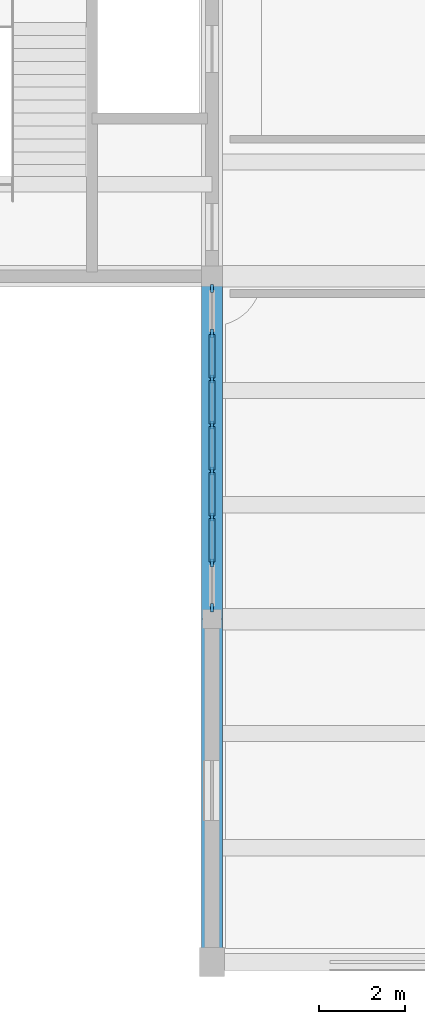
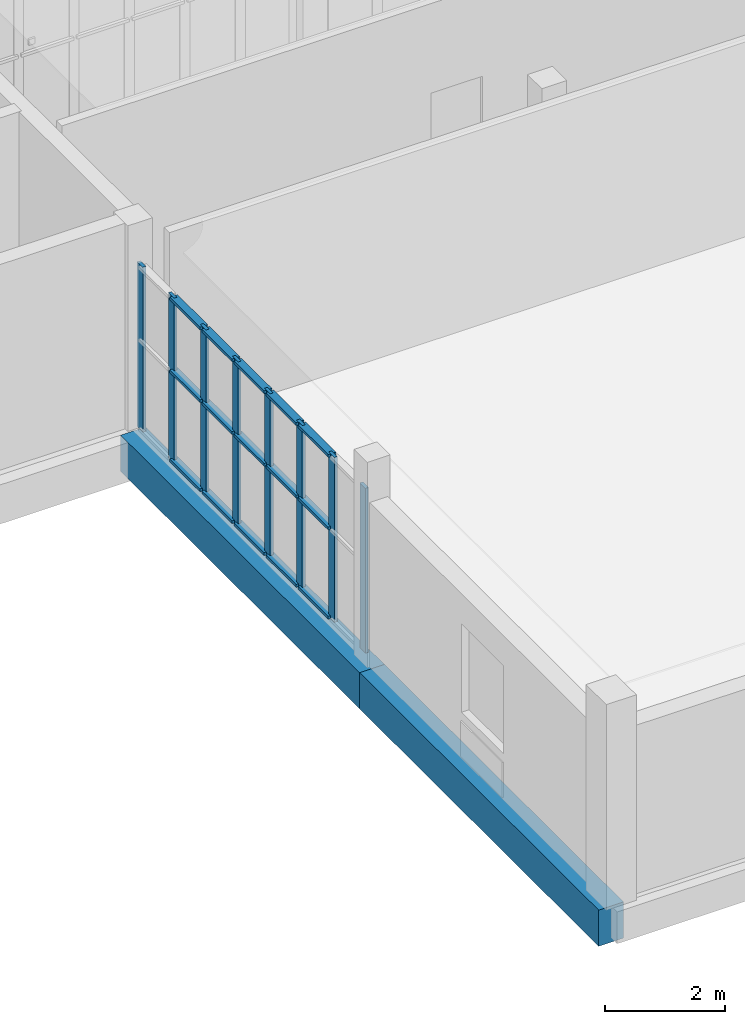
# One storey, part 5 of 70: 23 members, 2 beams, 1 element without a shape of its own.
"""IFC4 building model written with IfcOpenShell, lengths in metres."""

import ifcopenshell
import ifcopenshell.guid

model = None  # the IFC model being written
_history = None  # IfcOwnerHistory: only IFC2X3 demands one
_inside = {}  # id of a spatial element -> (the spatial element, [elements in it])
_under = {}  # id of a project, library or spatial element -> (it, [spatial elements below it])
_declared = {}  # id of a project -> (the project, [libraries it declares])
_typed = {}  # id of a type object -> (the type object, [elements of that type])
_made_of = {}  # id of a material, layer set ... -> (it, [elements and type objects made of it])


def new_model(schema):
    """Start an empty IFC model of exactly this schema.

    Asked for "IFC4X3", IfcOpenShell would pick the latest addendum, in which some entities
    have other attributes; the version numbers below select the first issue.
    IFC2X3 requires an IfcOwnerHistory on every rooted entity: one is made here for all.
    """
    global model, _history
    if schema == "IFC4X3":
        model = ifcopenshell.file(schema_version=(4, 3, 0, 0))
    else:
        model = ifcopenshell.file(schema=schema)
    _inside.clear()
    _under.clear()
    _declared.clear()
    _typed.clear()
    _made_of.clear()
    _history = None
    if model.schema == "IFC2X3":
        org = make("IfcOrganization", Name="unknown")
        user = make(
            "IfcPersonAndOrganization",
            ThePerson=make("IfcPerson", FamilyName="unknown"),
            TheOrganization=org,
        )
        app = make(
            "IfcApplication",
            ApplicationDeveloper=org,
            Version="unknown",
            ApplicationFullName="unknown",
            ApplicationIdentifier="unknown",
        )
        _history = make(
            "IfcOwnerHistory",
            OwningUser=user,
            OwningApplication=app,
            ChangeAction="ADDED",
            CreationDate=0,
        )
    return model


def make(cls, **values):
    """One entity of the class cls with the attributes given. An attribute that is None is left unset."""
    return model.create_entity(
        cls, **{name: value for name, value in values.items() if value is not None}
    )


def rooted(cls, **values):
    """An entity with a GlobalId (a new one), such as an element, a storey or a relation."""
    return make(cls, GlobalId=ifcopenshell.guid.new(), OwnerHistory=_history, **values)


def si_unit(unit_type, name, prefix=None):
    """IfcSIUnit, for example si_unit("LENGTHUNIT", "METRE", prefix="MILLI")."""
    return make("IfcSIUnit", UnitType=unit_type, Prefix=prefix, Name=name)


def assignment(units):
    """IfcUnitAssignment: the units of a project."""
    return None if units is None else make("IfcUnitAssignment", Units=units)


def point(xyz):
    """IfcCartesianPoint."""
    return None if xyz is None else make("IfcCartesianPoint", Coordinates=xyz)


def direction(xyz):
    """IfcDirection."""
    return None if xyz is None else make("IfcDirection", DirectionRatios=xyz)


def frame(location, z_axis=None, x_axis=None):
    """IfcAxis2Placement3D, a coordinate frame: its origin and axes. An axis left out is left unset."""
    return make(
        "IfcAxis2Placement3D",
        Location=point(location),
        Axis=direction(z_axis),
        RefDirection=direction(x_axis),
    )


def frame_2d(location, x_axis=None):
    """IfcAxis2Placement2D, a coordinate frame in the plane: its origin and x axis."""
    return make(
        "IfcAxis2Placement2D", Location=point(location), RefDirection=direction(x_axis)
    )


def origin():
    """The frame at (0, 0, 0) with its axes left unset."""
    return frame((0.0, 0.0, 0.0))


def origin_2d():
    """The frame at (0, 0) in the plane with its x axis left unset."""
    return frame_2d((0.0, 0.0))


def place(relative_to, where):
    """IfcLocalPlacement: puts the frame where relative to a parent placement (None: the world)."""
    return make(
        "IfcLocalPlacement", PlacementRelTo=relative_to, RelativePlacement=where
    )


def context(
    kind, dimensions, precision=None, world=None, true_north=None, identifier=None
):
    """IfcGeometricRepresentationContext, for example the 3D "Model" context."""
    return make(
        "IfcGeometricRepresentationContext",
        ContextIdentifier=identifier,
        ContextType=kind,
        CoordinateSpaceDimension=dimensions,
        Precision=precision,
        WorldCoordinateSystem=world,
        TrueNorth=true_north,
    )


def subcontext(parent, identifier, kind, view, scale=None):
    """IfcGeometricRepresentationSubContext, for example "Body" below "Model"."""
    return make(
        "IfcGeometricRepresentationSubContext",
        ContextIdentifier=identifier,
        ContextType=kind,
        ParentContext=parent,
        TargetScale=scale,
        TargetView=view,
    )


def project(units=None, contexts=None):
    """IfcProject with its units and contexts."""
    return rooted(
        "IfcProject",
        Name="project",
        RepresentationContexts=contexts,
        UnitsInContext=assignment(units),
    )


def spatial(cls, under=None, at=None, **own):
    """A site, building, storey or space (cls), placed at a placement, below another one or the project."""
    s = rooted(cls, ObjectPlacement=at, **own)
    if under is not None:
        _under.setdefault(under.id(), (under, []))[1].append(s)
    return s


def profile(cls, at=None, kind="AREA", **sizes):
    """A parametric profile (cls). Its sizes go by their IFC names, for example OverallWidth=200.0."""
    return make(cls, ProfileType=kind, Position=at, **sizes)


def rectangle(**sizes):
    """IfcRectangleProfileDef."""
    return profile("IfcRectangleProfileDef", **sizes)


def extrude(swept, where, along, depth):
    """IfcExtrudedAreaSolid: the profile swept, set in the frame where, extruded along a direction by depth."""
    return make(
        "IfcExtrudedAreaSolid",
        SweptArea=swept,
        Position=where,
        ExtrudedDirection=direction(along),
        Depth=depth,
    )


def shape(context_of_items, identifier, shape_type, items):
    """IfcShapeRepresentation: the items that make up one representation, for example the "Body"."""
    return make(
        "IfcShapeRepresentation",
        ContextOfItems=context_of_items,
        RepresentationIdentifier=identifier,
        RepresentationType=shape_type,
        Items=items,
    )


def material(Name=None, Category=None):
    """IfcMaterial."""
    return make("IfcMaterial", Name=Name, Category=Category)


def layer(
    of_material, thickness, ventilated=None, Name=None, Category=None, Priority=None
):
    """IfcMaterialLayer: one layer of a wall or slab, of a material (None: an air gap)."""
    return make(
        "IfcMaterialLayer",
        Material=of_material,
        LayerThickness=thickness,
        IsVentilated=ventilated,
        Name=Name,
        Category=Category,
        Priority=Priority,
    )


def layer_set(layers, Name=None):
    """IfcMaterialLayerSet."""
    return make("IfcMaterialLayerSet", MaterialLayers=layers, LayerSetName=Name)


def material_profile(
    of_material, cross_section, Name=None, Category=None, Priority=None
):
    """IfcMaterialProfile: a cross section and its material."""
    return make(
        "IfcMaterialProfile",
        Name=Name,
        Material=of_material,
        Profile=cross_section,
        Priority=Priority,
        Category=Category,
    )


def profile_set(profiles, Name=None, composite=None):
    """IfcMaterialProfileSet."""
    return make(
        "IfcMaterialProfileSet",
        Name=Name,
        MaterialProfiles=profiles,
        CompositeProfile=composite,
    )


def made_of(thing, what):
    """Note that an element or type object is made of a material, layer set ...; save() writes the relation."""
    if what is not None:
        _made_of.setdefault(what.id(), (what, []))[1].append(thing)
    return thing


def type_object(cls, material=None, **own):
    """A type object (cls), such as IfcWallType, which elements share."""
    return made_of(rooted(cls, **own), material)


def element(
    cls,
    number,
    at=None,
    inside=None,
    cuts=None,
    type_object=None,
    material=None,
    context=None,
    identifier="Body",
    shape_type=None,
    held_by="IfcProductDefinitionShape",
    body=None,
    shapes=None,
    **own,
):
    """One element of the class cls, such as IfcWall. Its Tag is "e" and its number.

    at: its placement. inside: the storey or other place that contains it. cuts: it is an
    opening in that element (IfcRelVoidsElement). A single representation is given by context,
    identifier, shape_type and body (its items); several are given by shapes. held_by: the class
    of the entity that holds the representations. save() writes the other relations.
    """
    e = rooted(cls, Tag="e%d" % number, ObjectPlacement=at, **own)
    if body is not None:
        shapes = [shape(context, identifier, shape_type, body)]
    if shapes is not None:
        e.Representation = make(held_by, Representations=shapes)
    if inside is not None:
        _inside.setdefault(inside.id(), (inside, []))[1].append(e)
    if cuts is not None:
        rooted(
            "IfcRelVoidsElement", RelatingBuildingElement=cuts, RelatedOpeningElement=e
        )
    if type_object is not None:
        _typed.setdefault(type_object.id(), (type_object, []))[1].append(e)
    return made_of(e, material)


def aggregate(whole, parts):
    """IfcRelAggregates: a whole, such as a stair, and the parts it consists of."""
    return rooted("IfcRelAggregates", RelatingObject=whole, RelatedObjects=parts)


def save(model, path):
    """Write the relations noted so far, then the file.

    IfcRelAggregates (storeys below a building ...), IfcRelContainedInSpatialStructure (elements
    in a storey), IfcRelDefinesByType, IfcRelAssociatesMaterial and IfcRelDeclares: one each for
    every whole, place, type object, material and project.
    """
    for whole, parts in _under.values():
        aggregate(whole, parts)
    for where, things in _inside.values():
        rooted(
            "IfcRelContainedInSpatialStructure",
            RelatedElements=things,
            RelatingStructure=where,
        )
    for kind, things in _typed.values():
        rooted("IfcRelDefinesByType", RelatedObjects=things, RelatingType=kind)
    for what, things in _made_of.values():
        rooted("IfcRelAssociatesMaterial", RelatedObjects=things, RelatingMaterial=what)
    for by, libraries in _declared.values():
        rooted("IfcRelDeclares", RelatingContext=by, RelatedDefinitions=libraries)
    model.write(path)


model = new_model("IFC4")

# Units and contexts
model_context = context("Model", 3, precision=1e-05, world=origin(), true_north=direction((0.0, 1.0)))
body_context = subcontext(model_context, "Body", "Model", "MODEL_VIEW")
ifc_project = project(units=[si_unit("LENGTHUNIT", "METRE"), si_unit("AREAUNIT", "SQUARE_METRE"), si_unit("VOLUMEUNIT", "CUBIC_METRE"), si_unit("PLANEANGLEUNIT", "RADIAN"), si_unit("MASSUNIT", "GRAM", prefix="KILO")], contexts=[model_context])

# Site, building, storey
site_placement = place(None, origin())
site = spatial("IfcSite", under=ifc_project, at=site_placement, CompositionType="ELEMENT")
building_placement = place(site_placement, origin())
building = spatial("IfcBuilding", under=site, at=building_placement, Name="Solvane Community Centre", CompositionType="ELEMENT")
storey_placement = place(building_placement, frame((0.0, 0.0, 9.60009765625)))
storey = spatial("IfcBuildingStorey", under=building, at=storey_placement, Name="L02", CompositionType="ELEMENT", Elevation=9.60009765625)

# Curtain wall, members
ifc_material_1 = material(Name="Anodised bronze aluminium AW-6063 T6", Category="aluminium")
ifc_layer = layer(ifc_material_1, 0.18994140625)
ifc_layer_set = layer_set([ifc_layer], Name="Anodised bronze aluminium AW-6063 T6")
curtain_wall_type = type_object("IfcCurtainWallType", Name="Boulevard Bronze Vision Curtain Wall [75x34dm]", PredefinedType="NOTDEFINED", material=ifc_layer_set)
curtain_wall_placement = place(storey_placement, origin())
curtain_wall = element("IfcCurtainWall", 1, at=curtain_wall_placement, inside=storey, type_object=curtain_wall_type, Name="Curtain Wall CW-L02-680_142-191", PredefinedType="NOTDEFINED")
ifc_material_profile_1 = material_profile(ifc_material_1, rectangle(XDim=0.06005859375, YDim=0.18994140625, at=origin_2d()), Name="CW-M 60x190")
ifc_profile_set_1 = profile_set([ifc_material_profile_1], Name="Anodised bronze aluminium AW-6063 T6")
member_type_1 = type_object("IfcMemberType", Name="Boulevard Mullion 60x190", PredefinedType="MULLION", material=ifc_profile_set_1)
member_1_placement = place(storey_placement, frame((68.0, 14.264892578125, 0.0), z_axis=(0.0, 0.0, 1.0), x_axis=(-1.0, 0.0, 0.0)))
member_1 = element("IfcMember", 2, at=member_1_placement, type_object=member_type_1, Name="CW02-75x34 mullion 1", PredefinedType="MULLION", context=body_context, shape_type="SweptSolid", body=[
    extrude(rectangle(XDim=0.06005859375, YDim=0.18994140625, at=origin_2d()), origin(), (0.0, 0.0, 1.0), 3.364990234375),
])
member_2_placement = place(storey_placement, frame((68.0, 15.307861328125, 0.0), z_axis=(0.0, 0.0, 1.0), x_axis=(-1.0, 0.0, 0.0)))
member_2 = element("IfcMember", 3, at=member_2_placement, type_object=member_type_1, Name="CW02-75x34 mullion 2", PredefinedType="MULLION", context=body_context, shape_type="SweptSolid", body=[
    extrude(rectangle(XDim=0.06005859375, YDim=0.18994140625, at=origin_2d()), origin(), (0.0, 0.0, 1.0), 3.364990234375),
])
member_3_placement = place(storey_placement, frame((68.0, 16.380615234375, 0.0), z_axis=(0.0, 0.0, 1.0), x_axis=(-1.0, 0.0, 0.0)))
member_3 = element("IfcMember", 4, at=member_3_placement, type_object=member_type_1, Name="CW02-75x34 mullion 3", PredefinedType="MULLION", context=body_context, shape_type="SweptSolid", body=[
    extrude(rectangle(XDim=0.06005859375, YDim=0.18994140625, at=origin_2d()), origin(), (0.0, 0.0, 1.0), 3.364990234375),
])
member_4_placement = place(storey_placement, frame((68.0, 17.45361328125, 0.0), z_axis=(0.0, 0.0, 1.0), x_axis=(-1.0, 0.0, 0.0)))
member_4 = element("IfcMember", 5, at=member_4_placement, type_object=member_type_1, Name="CW02-75x34 mullion 4", PredefinedType="MULLION", context=body_context, shape_type="SweptSolid", body=[
    extrude(rectangle(XDim=0.06005859375, YDim=0.18994140625, at=origin_2d()), origin(), (0.0, 0.0, 1.0), 3.364990234375),
])
member_5_placement = place(storey_placement, frame((68.0, 18.5263671875, 0.0), z_axis=(0.0, 0.0, 1.0), x_axis=(-1.0, 0.0, 0.0)))
member_5 = element("IfcMember", 6, at=member_5_placement, type_object=member_type_1, Name="CW02-75x34 mullion 5", PredefinedType="MULLION", context=body_context, shape_type="SweptSolid", body=[
    extrude(rectangle(XDim=0.06005859375, YDim=0.18994140625, at=origin_2d()), origin(), (0.0, 0.0, 1.0), 3.364990234375),
])
member_6_placement = place(storey_placement, frame((68.0, 19.599365234375, 0.0), z_axis=(0.0, 0.0, 1.0), x_axis=(-1.0, 0.0, 0.0)))
member_6 = element("IfcMember", 7, at=member_6_placement, type_object=member_type_1, Name="CW02-75x34 mullion 6", PredefinedType="MULLION", context=body_context, shape_type="SweptSolid", body=[
    extrude(rectangle(XDim=0.06005859375, YDim=0.18994140625, at=origin_2d()), origin(), (0.0, 0.0, 1.0), 3.364990234375),
])
member_7_placement = place(storey_placement, frame((68.0, 20.672119140625, 0.0), z_axis=(0.0, 0.0, 1.0), x_axis=(-1.0, 0.0, 0.0)))
member_7 = element("IfcMember", 8, at=member_7_placement, type_object=member_type_1, Name="CW02-75x34 mullion 7", PredefinedType="MULLION", context=body_context, shape_type="SweptSolid", body=[
    extrude(rectangle(XDim=0.06005859375, YDim=0.18994140625, at=origin_2d()), origin(), (0.0, 0.0, 1.0), 3.364990234375),
])
member_8_placement = place(storey_placement, frame((68.0, 21.715087890625, 0.0), z_axis=(0.0, 0.0, 1.0), x_axis=(-1.0, 0.0, 0.0)))
member_8 = element("IfcMember", 9, at=member_8_placement, type_object=member_type_1, Name="CW02-75x34 mullion 8", PredefinedType="MULLION", context=body_context, shape_type="SweptSolid", body=[
    extrude(rectangle(XDim=0.06005859375, YDim=0.18994140625, at=origin_2d()), origin(), (0.0, 0.0, 1.0), 3.364990234375),
])
ifc_material_profile_2 = material_profile(ifc_material_1, rectangle(XDim=0.14990234375, YDim=0.06005859375, at=origin_2d()), Name="CW-T 60x150")
ifc_profile_set_2 = profile_set([ifc_material_profile_2], Name="Anodised bronze aluminium AW-6063 T6")
member_type_2 = type_object("IfcMemberType", Name="Boulevard Transom 60x150", PredefinedType="USERDEFINED", material=ifc_profile_set_2)
member_9_placement = place(storey_placement, frame((68.0, 15.337890625, 0.02978515625), z_axis=(0.0, 1.0, 0.0), x_axis=(-1.0, 0.0, 0.0)))
member_9 = element("IfcMember", 10, at=member_9_placement, type_object=member_type_2, Name="CW02-75x34 transom 2.1", ObjectType="TRANSOM", PredefinedType="USERDEFINED", context=body_context, shape_type="SweptSolid", body=[
    extrude(rectangle(XDim=0.14990234375, YDim=0.06005859375, at=origin_2d()), origin(), (0.0, 0.0, 1.0), 1.012939453125),
])
member_10_placement = place(storey_placement, frame((68.0, 15.337890625, 1.850830078125), z_axis=(0.0, 1.0, 0.0), x_axis=(-1.0, 0.0, 0.0)))
member_10 = element("IfcMember", 11, at=member_10_placement, type_object=member_type_2, Name="CW02-75x34 transom 2.2", ObjectType="TRANSOM", PredefinedType="USERDEFINED", context=body_context, shape_type="SweptSolid", body=[
    extrude(rectangle(XDim=0.14990234375, YDim=0.06005859375, at=origin_2d()), origin(), (0.0, 0.0, 1.0), 1.012939453125),
])
member_11_placement = place(storey_placement, frame((68.0, 15.337890625, 3.3349609375), z_axis=(0.0, 1.0, 0.0), x_axis=(-1.0, 0.0, 0.0)))
member_11 = element("IfcMember", 12, at=member_11_placement, type_object=member_type_2, Name="CW02-75x34 transom 2.3", ObjectType="TRANSOM", PredefinedType="USERDEFINED", context=body_context, shape_type="SweptSolid", body=[
    extrude(rectangle(XDim=0.14990234375, YDim=0.06005859375, at=origin_2d()), origin(), (0.0, 0.0, 1.0), 1.012939453125),
])
member_12_placement = place(storey_placement, frame((68.0, 16.41064453125, 0.02978515625), z_axis=(0.0, 1.0, 0.0), x_axis=(-1.0, 0.0, 0.0)))
member_12 = element("IfcMember", 13, at=member_12_placement, type_object=member_type_2, Name="CW02-75x34 transom 3.1", ObjectType="TRANSOM", PredefinedType="USERDEFINED", context=body_context, shape_type="SweptSolid", body=[
    extrude(rectangle(XDim=0.14990234375, YDim=0.06005859375, at=origin_2d()), origin(), (0.0, 0.0, 1.0), 1.012939453125),
])
member_13_placement = place(storey_placement, frame((68.0, 16.41064453125, 1.850830078125), z_axis=(0.0, 1.0, 0.0), x_axis=(-1.0, 0.0, 0.0)))
member_13 = element("IfcMember", 14, at=member_13_placement, type_object=member_type_2, Name="CW02-75x34 transom 3.2", ObjectType="TRANSOM", PredefinedType="USERDEFINED", context=body_context, shape_type="SweptSolid", body=[
    extrude(rectangle(XDim=0.14990234375, YDim=0.06005859375, at=origin_2d()), origin(), (0.0, 0.0, 1.0), 1.012939453125),
])
member_14_placement = place(storey_placement, frame((68.0, 16.41064453125, 3.3349609375), z_axis=(0.0, 1.0, 0.0), x_axis=(-1.0, 0.0, 0.0)))
member_14 = element("IfcMember", 15, at=member_14_placement, type_object=member_type_2, Name="CW02-75x34 transom 3.3", ObjectType="TRANSOM", PredefinedType="USERDEFINED", context=body_context, shape_type="SweptSolid", body=[
    extrude(rectangle(XDim=0.14990234375, YDim=0.06005859375, at=origin_2d()), origin(), (0.0, 0.0, 1.0), 1.012939453125),
])
member_15_placement = place(storey_placement, frame((68.0, 17.483642578125, 0.02978515625), z_axis=(0.0, 1.0, 0.0), x_axis=(-1.0, 0.0, 0.0)))
member_15 = element("IfcMember", 16, at=member_15_placement, type_object=member_type_2, Name="CW02-75x34 transom 4.1", ObjectType="TRANSOM", PredefinedType="USERDEFINED", context=body_context, shape_type="SweptSolid", body=[
    extrude(rectangle(XDim=0.14990234375, YDim=0.06005859375, at=origin_2d()), origin(), (0.0, 0.0, 1.0), 1.0126953125),
])
member_16_placement = place(storey_placement, frame((68.0, 17.483642578125, 1.850830078125), z_axis=(0.0, 1.0, 0.0), x_axis=(-1.0, 0.0, 0.0)))
member_16 = element("IfcMember", 17, at=member_16_placement, type_object=member_type_2, Name="CW02-75x34 transom 4.2", ObjectType="TRANSOM", PredefinedType="USERDEFINED", context=body_context, shape_type="SweptSolid", body=[
    extrude(rectangle(XDim=0.14990234375, YDim=0.06005859375, at=origin_2d()), origin(), (0.0, 0.0, 1.0), 1.0126953125),
])
member_17_placement = place(storey_placement, frame((68.0, 17.483642578125, 3.3349609375), z_axis=(0.0, 1.0, 0.0), x_axis=(-1.0, 0.0, 0.0)))
member_17 = element("IfcMember", 18, at=member_17_placement, type_object=member_type_2, Name="CW02-75x34 transom 4.3", ObjectType="TRANSOM", PredefinedType="USERDEFINED", context=body_context, shape_type="SweptSolid", body=[
    extrude(rectangle(XDim=0.14990234375, YDim=0.06005859375, at=origin_2d()), origin(), (0.0, 0.0, 1.0), 1.0126953125),
])
member_18_placement = place(storey_placement, frame((68.0, 18.556396484375, 0.02978515625), z_axis=(0.0, 1.0, 0.0), x_axis=(-1.0, 0.0, 0.0)))
member_18 = element("IfcMember", 19, at=member_18_placement, type_object=member_type_2, Name="CW02-75x34 transom 5.1", ObjectType="TRANSOM", PredefinedType="USERDEFINED", context=body_context, shape_type="SweptSolid", body=[
    extrude(rectangle(XDim=0.14990234375, YDim=0.06005859375, at=origin_2d()), origin(), (0.0, 0.0, 1.0), 1.012939453125),
])
member_19_placement = place(storey_placement, frame((68.0, 18.556396484375, 1.850830078125), z_axis=(0.0, 1.0, 0.0), x_axis=(-1.0, 0.0, 0.0)))
member_19 = element("IfcMember", 20, at=member_19_placement, type_object=member_type_2, Name="CW02-75x34 transom 5.2", ObjectType="TRANSOM", PredefinedType="USERDEFINED", context=body_context, shape_type="SweptSolid", body=[
    extrude(rectangle(XDim=0.14990234375, YDim=0.06005859375, at=origin_2d()), origin(), (0.0, 0.0, 1.0), 1.012939453125),
])
member_20_placement = place(storey_placement, frame((68.0, 18.556396484375, 3.3349609375), z_axis=(0.0, 1.0, 0.0), x_axis=(-1.0, 0.0, 0.0)))
member_20 = element("IfcMember", 21, at=member_20_placement, type_object=member_type_2, Name="CW02-75x34 transom 5.3", ObjectType="TRANSOM", PredefinedType="USERDEFINED", context=body_context, shape_type="SweptSolid", body=[
    extrude(rectangle(XDim=0.14990234375, YDim=0.06005859375, at=origin_2d()), origin(), (0.0, 0.0, 1.0), 1.012939453125),
])
member_21_placement = place(storey_placement, frame((68.0, 19.62939453125, 0.02978515625), z_axis=(0.0, 1.0, 0.0), x_axis=(-1.0, 0.0, 0.0)))
member_21 = element("IfcMember", 22, at=member_21_placement, type_object=member_type_2, Name="CW02-75x34 transom 6.1", ObjectType="TRANSOM", PredefinedType="USERDEFINED", context=body_context, shape_type="SweptSolid", body=[
    extrude(rectangle(XDim=0.14990234375, YDim=0.06005859375, at=origin_2d()), origin(), (0.0, 0.0, 1.0), 1.0126953125),
])
member_22_placement = place(storey_placement, frame((68.0, 19.62939453125, 1.850830078125), z_axis=(0.0, 1.0, 0.0), x_axis=(-1.0, 0.0, 0.0)))
member_22 = element("IfcMember", 23, at=member_22_placement, type_object=member_type_2, Name="CW02-75x34 transom 6.2", ObjectType="TRANSOM", PredefinedType="USERDEFINED", context=body_context, shape_type="SweptSolid", body=[
    extrude(rectangle(XDim=0.14990234375, YDim=0.06005859375, at=origin_2d()), origin(), (0.0, 0.0, 1.0), 1.0126953125),
])
member_23_placement = place(storey_placement, frame((68.0, 19.62939453125, 3.3349609375), z_axis=(0.0, 1.0, 0.0), x_axis=(-1.0, 0.0, 0.0)))
member_23 = element("IfcMember", 24, at=member_23_placement, type_object=member_type_2, Name="CW02-75x34 transom 6.3", ObjectType="TRANSOM", PredefinedType="USERDEFINED", context=body_context, shape_type="SweptSolid", body=[
    extrude(rectangle(XDim=0.14990234375, YDim=0.06005859375, at=origin_2d()), origin(), (0.0, 0.0, 1.0), 1.0126953125),
])
aggregate(curtain_wall, [member_1, member_2, member_3, member_4, member_5, member_6, member_7, member_8, member_9, member_10, member_11, member_12, member_13, member_14, member_15, member_16, member_17, member_18, member_19, member_20, member_21, member_22, member_23])

# Beams
ifc_material_2 = material(Name="Concrete C35/45", Category="concrete")
ifc_material_profile_3 = material_profile(ifc_material_2, rectangle(XDim=0.47998046875, YDim=0.739990234375, at=origin_2d()), Name="RC 480x740")
ifc_profile_set_3 = profile_set([ifc_material_profile_3], Name="Concrete C35/45")
beam_type = type_object("IfcBeamType", Name="RC Bay Beam 480x740", PredefinedType="BEAM", material=ifc_profile_set_3)
for number, where, z_axis, x_axis, name in (
    (25, (68.0, 6.0, -0.590087890625), (0.0, 1.0, 0.0), (-1.0, 0.0, 0.0), "Beam BM-L02-680_60-680_140"),
    (26, (68.0, 14.0, -0.590087890625), (0.0, 1.0, 0.0), (-1.0, 0.0, 0.0), "Beam BM-L02-680_140-680_220"),
):
    element("IfcBeam", number, at=place(storey_placement, frame(where, z_axis=z_axis, x_axis=x_axis)), inside=storey, type_object=beam_type, Name=name, PredefinedType="BEAM", context=body_context, shape_type="SweptSolid", body=[
        extrude(rectangle(XDim=0.47998046875, YDim=0.739990234375, at=origin_2d()), origin(), (0.0, 0.0, 1.0), 8.0),
    ])

save(model, "model.ifc")
